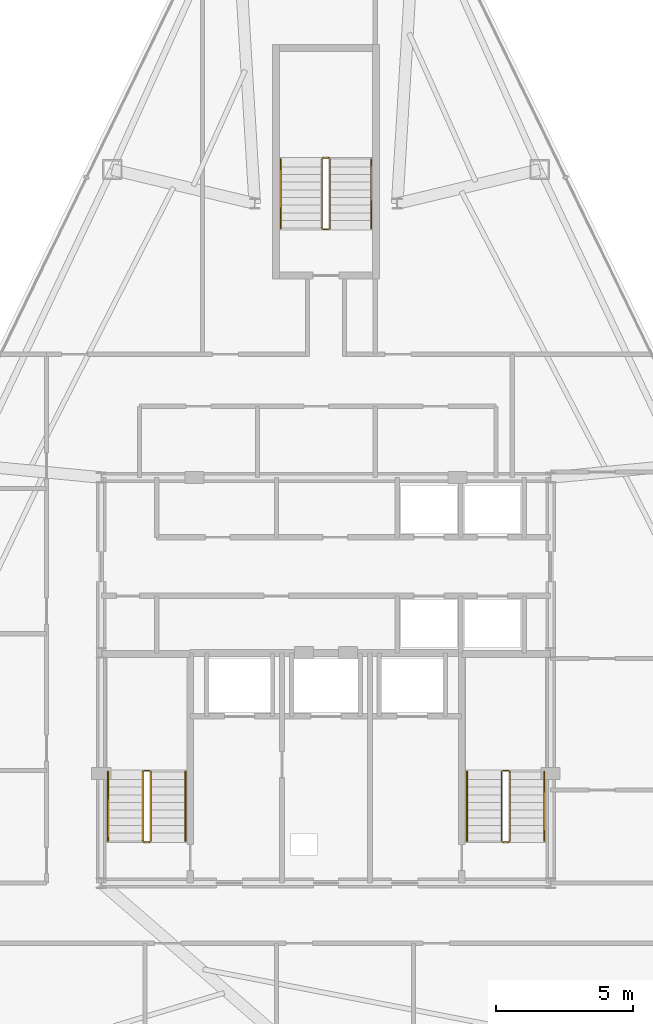
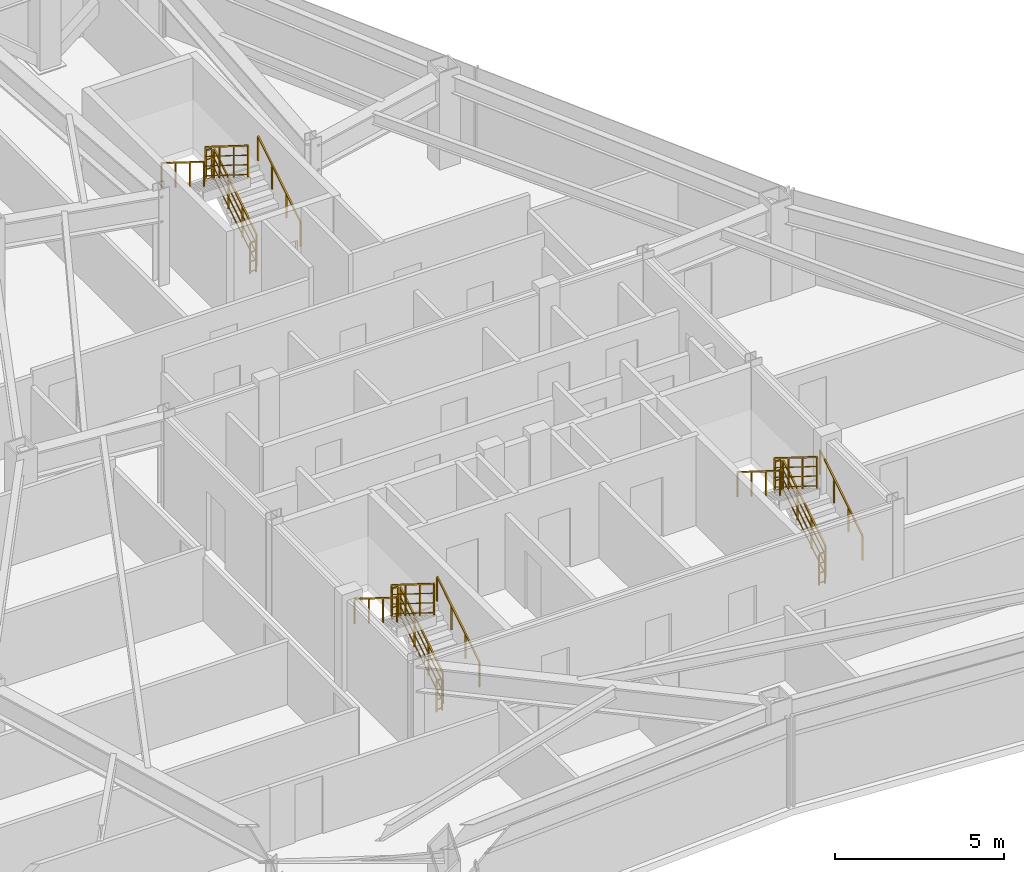
# One storey, part 12 of 12: 18 railings.
"""IFC4 building model written with IfcOpenShell, lengths in metres."""

from ifc_helpers import new_model, si_unit, direction, frame, origin, origin_2d, place, context, subcontext, project, spatial, rectangle, extrude, material, type_object, element, save


model = new_model("IFC4")

# Units and contexts
model_context = context("Model", 3, precision=1e-05, world=origin(), true_north=direction((0.0, 1.0)))
body_context = subcontext(model_context, "Body", "Model", "MODEL_VIEW")
ifc_project = project(units=[si_unit("LENGTHUNIT", "METRE"), si_unit("AREAUNIT", "SQUARE_METRE"), si_unit("VOLUMEUNIT", "CUBIC_METRE"), si_unit("PLANEANGLEUNIT", "RADIAN"), si_unit("MASSUNIT", "GRAM", prefix="KILO")], contexts=[model_context])

# Site, building, storey
site_placement = place(None, origin())
site = spatial("IfcSite", under=ifc_project, at=site_placement, CompositionType="ELEMENT")
building_placement = place(site_placement, origin())
building = spatial("IfcBuilding", under=site, at=building_placement, Name="Varakhsha Concourse Tower", CompositionType="ELEMENT")
storey_placement = place(building_placement, frame((0.0, 0.0, 208.39990234375)))
storey = spatial("IfcBuildingStorey", under=building, at=storey_placement, Name="L59", CompositionType="ELEMENT", Elevation=208.39990234375)

# Railings
ifc_material = material(Name="Brushed Austenitic Stainless Steel AISI 316", Category="steel")
railing_type_1 = type_object("IfcRailingType", Name="RL-STAIR-GUARD-1100", PredefinedType="GUARDRAIL", material=ifc_material)
railing_1_placement = place(storey_placement, frame((33.610107421875, 17.93994140625, 0.175048828125)))
element("IfcRailing", 1, at=railing_1_placement, inside=storey, type_object=railing_type_1, Name="L59 ST1 stair guard 1", PredefinedType="GUARDRAIL", context=body_context, shape_type="SweptSolid", body=[
    extrude(rectangle(XDim=0.048095703125, YDim=0.048095703125, at=origin_2d()), frame((0.0, 0.0, 1.1259765625), z_axis=(0.0, 0.848007534815, 0.529984170421), x_axis=(-1.0, 0.0, 0.0)), (0.0, 0.0, 1.0), 2.9716796875),
    extrude(rectangle(XDim=0.028076171875, YDim=0.028076171875, at=origin_2d()), frame((0.0, 0.0, 0.080078125), z_axis=(0.0, 0.848007534815, 0.529984170421), x_axis=(-1.0, 0.0, 0.0)), (0.0, 0.0, 1.0), 2.9716796875),
    extrude(rectangle(XDim=0.028076171875, YDim=0.028076171875, at=origin_2d()), frame((0.0, 0.0, 0.43701171875), z_axis=(0.0, 0.848007534815, 0.529984170421), x_axis=(-1.0, 0.0, 0.0)), (0.0, 0.0, 1.0), 2.9716796875),
    extrude(rectangle(XDim=0.028076171875, YDim=0.028076171875, at=origin_2d()), frame((0.0, 0.0, 0.781982421875), z_axis=(0.0, 0.848007534815, 0.529984170421), x_axis=(-1.0, 0.0, 0.0)), (0.0, 0.0, 1.0), 2.9716796875),
    extrude(rectangle(XDim=0.0419921875, YDim=0.0419921875, at=origin_2d()), origin(), (0.0, 0.0, 1.0), 1.101806640625),
    extrude(rectangle(XDim=0.0419921875, YDim=0.0419921875, at=origin_2d()), frame((0.0, 0.840087890625, 0.52490234375)), (0.0, 0.0, 1.0), 1.101806640625),
    extrude(rectangle(XDim=0.0419921875, YDim=0.0419921875, at=origin_2d()), frame((0.0, 1.679931640625, 1.050048828125)), (0.0, 0.0, 1.0), 1.101806640625),
    extrude(rectangle(XDim=0.0419921875, YDim=0.0419921875, at=origin_2d()), frame((0.0, 2.52001953125, 1.574951171875)), (0.0, 0.0, 1.0), 1.101806640625),
])
railing_2_placement = place(storey_placement, frame((33.56005859375, 20.510009765625, 1.75)))
element("IfcRailing", 2, at=railing_2_placement, inside=storey, type_object=railing_type_1, Name="L59 ST1 stair guard 2", PredefinedType="GUARDRAIL", context=body_context, shape_type="SweptSolid", body=[
    extrude(rectangle(XDim=0.048095703125, YDim=0.048095703125, at=origin_2d()), frame((0.0, 0.0, 1.1259765625), z_axis=(-1.0, 0.0, 0.0), x_axis=(0.0, -1.0, 0.0)), (0.0, 0.0, 1.0), 0.199951171875),
    extrude(rectangle(XDim=0.028076171875, YDim=0.028076171875, at=origin_2d()), frame((0.0, 0.0, 0.080078125), z_axis=(-1.0, 0.0, 0.0), x_axis=(0.0, -1.0, 0.0)), (0.0, 0.0, 1.0), 0.199951171875),
    extrude(rectangle(XDim=0.028076171875, YDim=0.028076171875, at=origin_2d()), frame((0.0, 0.0, 0.43701171875), z_axis=(-1.0, 0.0, 0.0), x_axis=(0.0, -1.0, 0.0)), (0.0, 0.0, 1.0), 0.199951171875),
    extrude(rectangle(XDim=0.028076171875, YDim=0.028076171875, at=origin_2d()), frame((0.0, 0.0, 0.781982421875), z_axis=(-1.0, 0.0, 0.0), x_axis=(0.0, -1.0, 0.0)), (0.0, 0.0, 1.0), 0.199951171875),
    extrude(rectangle(XDim=0.0419921875, YDim=0.0419921875, at=origin_2d()), origin(), (0.0, 0.0, 1.0), 1.101806640625),
    extrude(rectangle(XDim=0.0419921875, YDim=0.0419921875, at=origin_2d()), frame((-0.199951171875, 0.0, 0.0)), (0.0, 0.0, 1.0), 1.101806640625),
])
railing_3_placement = place(storey_placement, frame((33.31005859375, 20.4599609375, 1.925048828125)))
element("IfcRailing", 3, at=railing_3_placement, inside=storey, type_object=railing_type_1, Name="L59 ST1 stair guard 3", PredefinedType="GUARDRAIL", context=body_context, shape_type="SweptSolid", body=[
    extrude(rectangle(XDim=0.048095703125, YDim=0.048095703125, at=origin_2d()), frame((0.0, 0.0, 1.1259765625), z_axis=(0.0, -0.848007534815, 0.529984170421), x_axis=(1.0, 0.0, 0.0)), (0.0, 0.0, 1.0), 2.9716796875),
    extrude(rectangle(XDim=0.028076171875, YDim=0.028076171875, at=origin_2d()), frame((0.0, 0.0, 0.080078125), z_axis=(0.0, -0.848007534815, 0.529984170421), x_axis=(1.0, 0.0, 0.0)), (0.0, 0.0, 1.0), 2.9716796875),
    extrude(rectangle(XDim=0.028076171875, YDim=0.028076171875, at=origin_2d()), frame((0.0, 0.0, 0.43701171875), z_axis=(0.0, -0.848007534815, 0.529984170421), x_axis=(1.0, 0.0, 0.0)), (0.0, 0.0, 1.0), 2.9716796875),
    extrude(rectangle(XDim=0.028076171875, YDim=0.028076171875, at=origin_2d()), frame((0.0, 0.0, 0.781982421875), z_axis=(0.0, -0.848007534815, 0.529984170421), x_axis=(1.0, 0.0, 0.0)), (0.0, 0.0, 1.0), 2.9716796875),
    extrude(rectangle(XDim=0.0419921875, YDim=0.0419921875, at=origin_2d()), origin(), (0.0, 0.0, 1.0), 1.101806640625),
    extrude(rectangle(XDim=0.0419921875, YDim=0.0419921875, at=origin_2d()), frame((0.0, -0.840087890625, 0.52490234375)), (0.0, 0.0, 1.0), 1.101806640625),
    extrude(rectangle(XDim=0.0419921875, YDim=0.0419921875, at=origin_2d()), frame((0.0, -1.679931640625, 1.050048828125)), (0.0, 0.0, 1.0), 1.101806640625),
    extrude(rectangle(XDim=0.0419921875, YDim=0.0419921875, at=origin_2d()), frame((0.0, -2.52001953125, 1.574951171875)), (0.0, 0.0, 1.0), 1.101806640625),
])
railing_4_placement = place(storey_placement, frame((33.56005859375, 17.889892578125, 0.0)))
element("IfcRailing", 4, at=railing_4_placement, inside=storey, type_object=railing_type_1, Name="L59 ST1 stair guard 4", PredefinedType="GUARDRAIL", context=body_context, shape_type="SweptSolid", body=[
    extrude(rectangle(XDim=0.048095703125, YDim=0.048095703125, at=origin_2d()), frame((0.0, 0.0, 1.1259765625), z_axis=(-1.0, 0.0, 0.0), x_axis=(0.0, -1.0, 0.0)), (0.0, 0.0, 1.0), 0.199951171875),
    extrude(rectangle(XDim=0.028076171875, YDim=0.028076171875, at=origin_2d()), frame((0.0, 0.0, 0.080078125), z_axis=(-1.0, 0.0, 0.0), x_axis=(0.0, -1.0, 0.0)), (0.0, 0.0, 1.0), 0.199951171875),
    extrude(rectangle(XDim=0.028076171875, YDim=0.028076171875, at=origin_2d()), frame((0.0, 0.0, 0.43701171875), z_axis=(-1.0, 0.0, 0.0), x_axis=(0.0, -1.0, 0.0)), (0.0, 0.0, 1.0), 0.199951171875),
    extrude(rectangle(XDim=0.028076171875, YDim=0.028076171875, at=origin_2d()), frame((0.0, 0.0, 0.781982421875), z_axis=(-1.0, 0.0, 0.0), x_axis=(0.0, -1.0, 0.0)), (0.0, 0.0, 1.0), 0.199951171875),
    extrude(rectangle(XDim=0.0419921875, YDim=0.0419921875, at=origin_2d()), origin(), (0.0, 0.0, 1.0), 1.101806640625),
    extrude(rectangle(XDim=0.0419921875, YDim=0.0419921875, at=origin_2d()), frame((-0.199951171875, 0.0, 0.0)), (0.0, 0.0, 1.0), 1.101806640625),
])
railing_5_placement = place(storey_placement, frame((46.7099609375, 17.93994140625, 0.175048828125)))
element("IfcRailing", 5, at=railing_5_placement, inside=storey, type_object=railing_type_1, Name="L59 ST2 stair guard 1", PredefinedType="GUARDRAIL", context=body_context, shape_type="SweptSolid", body=[
    extrude(rectangle(XDim=0.048095703125, YDim=0.048095703125, at=origin_2d()), frame((0.0, 0.0, 1.1259765625), z_axis=(0.0, 0.848007534815, 0.529984170421), x_axis=(-1.0, 0.0, 0.0)), (0.0, 0.0, 1.0), 2.9716796875),
    extrude(rectangle(XDim=0.028076171875, YDim=0.028076171875, at=origin_2d()), frame((0.0, 0.0, 0.080078125), z_axis=(0.0, 0.848007534815, 0.529984170421), x_axis=(-1.0, 0.0, 0.0)), (0.0, 0.0, 1.0), 2.9716796875),
    extrude(rectangle(XDim=0.028076171875, YDim=0.028076171875, at=origin_2d()), frame((0.0, 0.0, 0.43701171875), z_axis=(0.0, 0.848007534815, 0.529984170421), x_axis=(-1.0, 0.0, 0.0)), (0.0, 0.0, 1.0), 2.9716796875),
    extrude(rectangle(XDim=0.028076171875, YDim=0.028076171875, at=origin_2d()), frame((0.0, 0.0, 0.781982421875), z_axis=(0.0, 0.848007534815, 0.529984170421), x_axis=(-1.0, 0.0, 0.0)), (0.0, 0.0, 1.0), 2.9716796875),
    extrude(rectangle(XDim=0.0419921875, YDim=0.0419921875, at=origin_2d()), origin(), (0.0, 0.0, 1.0), 1.101806640625),
    extrude(rectangle(XDim=0.0419921875, YDim=0.0419921875, at=origin_2d()), frame((0.0, 0.840087890625, 0.52490234375)), (0.0, 0.0, 1.0), 1.101806640625),
    extrude(rectangle(XDim=0.0419921875, YDim=0.0419921875, at=origin_2d()), frame((0.0, 1.679931640625, 1.050048828125)), (0.0, 0.0, 1.0), 1.101806640625),
    extrude(rectangle(XDim=0.0419921875, YDim=0.0419921875, at=origin_2d()), frame((0.0, 2.52001953125, 1.574951171875)), (0.0, 0.0, 1.0), 1.101806640625),
])
railing_6_placement = place(storey_placement, frame((46.659912109375, 20.510009765625, 1.75)))
element("IfcRailing", 6, at=railing_6_placement, inside=storey, type_object=railing_type_1, Name="L59 ST2 stair guard 2", PredefinedType="GUARDRAIL", context=body_context, shape_type="SweptSolid", body=[
    extrude(rectangle(XDim=0.048095703125, YDim=0.048095703125, at=origin_2d()), frame((0.0, 0.0, 1.1259765625), z_axis=(-1.0, 0.0, 0.0), x_axis=(0.0, -1.0, 0.0)), (0.0, 0.0, 1.0), 0.199951171875),
    extrude(rectangle(XDim=0.028076171875, YDim=0.028076171875, at=origin_2d()), frame((0.0, 0.0, 0.080078125), z_axis=(-1.0, 0.0, 0.0), x_axis=(0.0, -1.0, 0.0)), (0.0, 0.0, 1.0), 0.199951171875),
    extrude(rectangle(XDim=0.028076171875, YDim=0.028076171875, at=origin_2d()), frame((0.0, 0.0, 0.43701171875), z_axis=(-1.0, 0.0, 0.0), x_axis=(0.0, -1.0, 0.0)), (0.0, 0.0, 1.0), 0.199951171875),
    extrude(rectangle(XDim=0.028076171875, YDim=0.028076171875, at=origin_2d()), frame((0.0, 0.0, 0.781982421875), z_axis=(-1.0, 0.0, 0.0), x_axis=(0.0, -1.0, 0.0)), (0.0, 0.0, 1.0), 0.199951171875),
    extrude(rectangle(XDim=0.0419921875, YDim=0.0419921875, at=origin_2d()), origin(), (0.0, 0.0, 1.0), 1.101806640625),
    extrude(rectangle(XDim=0.0419921875, YDim=0.0419921875, at=origin_2d()), frame((-0.199951171875, 0.0, 0.0)), (0.0, 0.0, 1.0), 1.101806640625),
])
railing_7_placement = place(storey_placement, frame((46.409912109375, 20.4599609375, 1.925048828125)))
element("IfcRailing", 7, at=railing_7_placement, inside=storey, type_object=railing_type_1, Name="L59 ST2 stair guard 3", PredefinedType="GUARDRAIL", context=body_context, shape_type="SweptSolid", body=[
    extrude(rectangle(XDim=0.048095703125, YDim=0.048095703125, at=origin_2d()), frame((0.0, 0.0, 1.1259765625), z_axis=(0.0, -0.848007534815, 0.529984170421), x_axis=(1.0, 0.0, 0.0)), (0.0, 0.0, 1.0), 2.9716796875),
    extrude(rectangle(XDim=0.028076171875, YDim=0.028076171875, at=origin_2d()), frame((0.0, 0.0, 0.080078125), z_axis=(0.0, -0.848007534815, 0.529984170421), x_axis=(1.0, 0.0, 0.0)), (0.0, 0.0, 1.0), 2.9716796875),
    extrude(rectangle(XDim=0.028076171875, YDim=0.028076171875, at=origin_2d()), frame((0.0, 0.0, 0.43701171875), z_axis=(0.0, -0.848007534815, 0.529984170421), x_axis=(1.0, 0.0, 0.0)), (0.0, 0.0, 1.0), 2.9716796875),
    extrude(rectangle(XDim=0.028076171875, YDim=0.028076171875, at=origin_2d()), frame((0.0, 0.0, 0.781982421875), z_axis=(0.0, -0.848007534815, 0.529984170421), x_axis=(1.0, 0.0, 0.0)), (0.0, 0.0, 1.0), 2.9716796875),
    extrude(rectangle(XDim=0.0419921875, YDim=0.0419921875, at=origin_2d()), origin(), (0.0, 0.0, 1.0), 1.101806640625),
    extrude(rectangle(XDim=0.0419921875, YDim=0.0419921875, at=origin_2d()), frame((0.0, -0.840087890625, 0.52490234375)), (0.0, 0.0, 1.0), 1.101806640625),
    extrude(rectangle(XDim=0.0419921875, YDim=0.0419921875, at=origin_2d()), frame((0.0, -1.679931640625, 1.050048828125)), (0.0, 0.0, 1.0), 1.101806640625),
    extrude(rectangle(XDim=0.0419921875, YDim=0.0419921875, at=origin_2d()), frame((0.0, -2.52001953125, 1.574951171875)), (0.0, 0.0, 1.0), 1.101806640625),
])
railing_8_placement = place(storey_placement, frame((46.659912109375, 17.889892578125, 0.0)))
element("IfcRailing", 8, at=railing_8_placement, inside=storey, type_object=railing_type_1, Name="L59 ST2 stair guard 4", PredefinedType="GUARDRAIL", context=body_context, shape_type="SweptSolid", body=[
    extrude(rectangle(XDim=0.048095703125, YDim=0.048095703125, at=origin_2d()), frame((0.0, 0.0, 1.1259765625), z_axis=(-1.0, 0.0, 0.0), x_axis=(0.0, -1.0, 0.0)), (0.0, 0.0, 1.0), 0.199951171875),
    extrude(rectangle(XDim=0.028076171875, YDim=0.028076171875, at=origin_2d()), frame((0.0, 0.0, 0.080078125), z_axis=(-1.0, 0.0, 0.0), x_axis=(0.0, -1.0, 0.0)), (0.0, 0.0, 1.0), 0.199951171875),
    extrude(rectangle(XDim=0.028076171875, YDim=0.028076171875, at=origin_2d()), frame((0.0, 0.0, 0.43701171875), z_axis=(-1.0, 0.0, 0.0), x_axis=(0.0, -1.0, 0.0)), (0.0, 0.0, 1.0), 0.199951171875),
    extrude(rectangle(XDim=0.028076171875, YDim=0.028076171875, at=origin_2d()), frame((0.0, 0.0, 0.781982421875), z_axis=(-1.0, 0.0, 0.0), x_axis=(0.0, -1.0, 0.0)), (0.0, 0.0, 1.0), 0.199951171875),
    extrude(rectangle(XDim=0.0419921875, YDim=0.0419921875, at=origin_2d()), origin(), (0.0, 0.0, 1.0), 1.101806640625),
    extrude(rectangle(XDim=0.0419921875, YDim=0.0419921875, at=origin_2d()), frame((-0.199951171875, 0.0, 0.0)), (0.0, 0.0, 1.0), 1.101806640625),
])
railing_9_placement = place(storey_placement, frame((40.14990234375, 40.300048828125, 0.175048828125)))
element("IfcRailing", 9, at=railing_9_placement, inside=storey, type_object=railing_type_1, Name="L59 ST5 stair guard 1", PredefinedType="GUARDRAIL", context=body_context, shape_type="SweptSolid", body=[
    extrude(rectangle(XDim=0.048095703125, YDim=0.048095703125, at=origin_2d()), frame((0.0, 0.0, 1.1259765625), z_axis=(0.0, 0.848007534815, 0.529984170421), x_axis=(-1.0, 0.0, 0.0)), (0.0, 0.0, 1.0), 2.9716796875),
    extrude(rectangle(XDim=0.028076171875, YDim=0.028076171875, at=origin_2d()), frame((0.0, 0.0, 0.080078125), z_axis=(0.0, 0.848007534815, 0.529984170421), x_axis=(-1.0, 0.0, 0.0)), (0.0, 0.0, 1.0), 2.9716796875),
    extrude(rectangle(XDim=0.028076171875, YDim=0.028076171875, at=origin_2d()), frame((0.0, 0.0, 0.43701171875), z_axis=(0.0, 0.848007534815, 0.529984170421), x_axis=(-1.0, 0.0, 0.0)), (0.0, 0.0, 1.0), 2.9716796875),
    extrude(rectangle(XDim=0.028076171875, YDim=0.028076171875, at=origin_2d()), frame((0.0, 0.0, 0.781982421875), z_axis=(0.0, 0.848007534815, 0.529984170421), x_axis=(-1.0, 0.0, 0.0)), (0.0, 0.0, 1.0), 2.9716796875),
    extrude(rectangle(XDim=0.0419921875, YDim=0.0419921875, at=origin_2d()), origin(), (0.0, 0.0, 1.0), 1.101806640625),
    extrude(rectangle(XDim=0.0419921875, YDim=0.0419921875, at=origin_2d()), frame((0.0, 0.840087890625, 0.52490234375)), (0.0, 0.0, 1.0), 1.101806640625),
    extrude(rectangle(XDim=0.0419921875, YDim=0.0419921875, at=origin_2d()), frame((0.0, 1.679931640625, 1.050048828125)), (0.0, 0.0, 1.0), 1.101806640625),
    extrude(rectangle(XDim=0.0419921875, YDim=0.0419921875, at=origin_2d()), frame((0.0, 2.52001953125, 1.574951171875)), (0.0, 0.0, 1.0), 1.101806640625),
])
railing_10_placement = place(storey_placement, frame((40.10009765625, 42.8701171875, 1.75)))
element("IfcRailing", 10, at=railing_10_placement, inside=storey, type_object=railing_type_1, Name="L59 ST5 stair guard 2", PredefinedType="GUARDRAIL", context=body_context, shape_type="SweptSolid", body=[
    extrude(rectangle(XDim=0.048095703125, YDim=0.048095703125, at=origin_2d()), frame((0.0, 0.0, 1.1259765625), z_axis=(-1.0, 0.0, 0.0), x_axis=(0.0, -1.0, 0.0)), (0.0, 0.0, 1.0), 0.2001953125),
    extrude(rectangle(XDim=0.028076171875, YDim=0.028076171875, at=origin_2d()), frame((0.0, 0.0, 0.080078125), z_axis=(-1.0, 0.0, 0.0), x_axis=(0.0, -1.0, 0.0)), (0.0, 0.0, 1.0), 0.2001953125),
    extrude(rectangle(XDim=0.028076171875, YDim=0.028076171875, at=origin_2d()), frame((0.0, 0.0, 0.43701171875), z_axis=(-1.0, 0.0, 0.0), x_axis=(0.0, -1.0, 0.0)), (0.0, 0.0, 1.0), 0.2001953125),
    extrude(rectangle(XDim=0.028076171875, YDim=0.028076171875, at=origin_2d()), frame((0.0, 0.0, 0.781982421875), z_axis=(-1.0, 0.0, 0.0), x_axis=(0.0, -1.0, 0.0)), (0.0, 0.0, 1.0), 0.2001953125),
    extrude(rectangle(XDim=0.0419921875, YDim=0.0419921875, at=origin_2d()), origin(), (0.0, 0.0, 1.0), 1.101806640625),
    extrude(rectangle(XDim=0.0419921875, YDim=0.0419921875, at=origin_2d()), frame((-0.2001953125, 0.0, 0.0)), (0.0, 0.0, 1.0), 1.101806640625),
])
railing_11_placement = place(storey_placement, frame((39.85009765625, 42.820068359375, 1.925048828125)))
element("IfcRailing", 11, at=railing_11_placement, inside=storey, type_object=railing_type_1, Name="L59 ST5 stair guard 3", PredefinedType="GUARDRAIL", context=body_context, shape_type="SweptSolid", body=[
    extrude(rectangle(XDim=0.048095703125, YDim=0.048095703125, at=origin_2d()), frame((0.0, 0.0, 1.1259765625), z_axis=(0.0, -0.848007534815, 0.529984170421), x_axis=(1.0, 0.0, 0.0)), (0.0, 0.0, 1.0), 2.9716796875),
    extrude(rectangle(XDim=0.028076171875, YDim=0.028076171875, at=origin_2d()), frame((0.0, 0.0, 0.080078125), z_axis=(0.0, -0.848007534815, 0.529984170421), x_axis=(1.0, 0.0, 0.0)), (0.0, 0.0, 1.0), 2.9716796875),
    extrude(rectangle(XDim=0.028076171875, YDim=0.028076171875, at=origin_2d()), frame((0.0, 0.0, 0.43701171875), z_axis=(0.0, -0.848007534815, 0.529984170421), x_axis=(1.0, 0.0, 0.0)), (0.0, 0.0, 1.0), 2.9716796875),
    extrude(rectangle(XDim=0.028076171875, YDim=0.028076171875, at=origin_2d()), frame((0.0, 0.0, 0.781982421875), z_axis=(0.0, -0.848007534815, 0.529984170421), x_axis=(1.0, 0.0, 0.0)), (0.0, 0.0, 1.0), 2.9716796875),
    extrude(rectangle(XDim=0.0419921875, YDim=0.0419921875, at=origin_2d()), origin(), (0.0, 0.0, 1.0), 1.101806640625),
    extrude(rectangle(XDim=0.0419921875, YDim=0.0419921875, at=origin_2d()), frame((0.0, -0.840087890625, 0.52490234375)), (0.0, 0.0, 1.0), 1.101806640625),
    extrude(rectangle(XDim=0.0419921875, YDim=0.0419921875, at=origin_2d()), frame((0.0, -1.679931640625, 1.050048828125)), (0.0, 0.0, 1.0), 1.101806640625),
    extrude(rectangle(XDim=0.0419921875, YDim=0.0419921875, at=origin_2d()), frame((0.0, -2.52001953125, 1.574951171875)), (0.0, 0.0, 1.0), 1.101806640625),
])
railing_12_placement = place(storey_placement, frame((40.10009765625, 40.25, 0.0)))
element("IfcRailing", 12, at=railing_12_placement, inside=storey, type_object=railing_type_1, Name="L59 ST5 stair guard 4", PredefinedType="GUARDRAIL", context=body_context, shape_type="SweptSolid", body=[
    extrude(rectangle(XDim=0.048095703125, YDim=0.048095703125, at=origin_2d()), frame((0.0, 0.0, 1.1259765625), z_axis=(-1.0, 0.0, 0.0), x_axis=(0.0, -1.0, 0.0)), (0.0, 0.0, 1.0), 0.2001953125),
    extrude(rectangle(XDim=0.028076171875, YDim=0.028076171875, at=origin_2d()), frame((0.0, 0.0, 0.080078125), z_axis=(-1.0, 0.0, 0.0), x_axis=(0.0, -1.0, 0.0)), (0.0, 0.0, 1.0), 0.2001953125),
    extrude(rectangle(XDim=0.028076171875, YDim=0.028076171875, at=origin_2d()), frame((0.0, 0.0, 0.43701171875), z_axis=(-1.0, 0.0, 0.0), x_axis=(0.0, -1.0, 0.0)), (0.0, 0.0, 1.0), 0.2001953125),
    extrude(rectangle(XDim=0.028076171875, YDim=0.028076171875, at=origin_2d()), frame((0.0, 0.0, 0.781982421875), z_axis=(-1.0, 0.0, 0.0), x_axis=(0.0, -1.0, 0.0)), (0.0, 0.0, 1.0), 0.2001953125),
    extrude(rectangle(XDim=0.0419921875, YDim=0.0419921875, at=origin_2d()), origin(), (0.0, 0.0, 1.0), 1.101806640625),
    extrude(rectangle(XDim=0.0419921875, YDim=0.0419921875, at=origin_2d()), frame((-0.2001953125, 0.0, 0.0)), (0.0, 0.0, 1.0), 1.101806640625),
])
railing_type_2 = type_object("IfcRailingType", Name="RL-STAIR-RAIL-915", PredefinedType="HANDRAIL", material=ifc_material)
railing_13_placement = place(storey_placement, frame((34.8701171875, 17.93994140625, 0.35009765625)))
element("IfcRailing", 13, at=railing_13_placement, inside=storey, type_object=railing_type_2, Name="L59 ST1 stair handrail 1", PredefinedType="HANDRAIL", context=body_context, shape_type="SweptSolid", body=[
    extrude(rectangle(XDim=0.048095703125, YDim=0.048095703125, at=origin_2d()), frame((0.0, 0.0, 0.89111328125), z_axis=(0.0, 0.848007534815, 0.529984170421), x_axis=(-1.0, 0.0, 0.0)), (0.0, 0.0, 1.0), 2.9716796875),
    extrude(rectangle(XDim=0.0419921875, YDim=0.0419921875, at=origin_2d()), origin(), (0.0, 0.0, 1.0), 0.866943359375),
    extrude(rectangle(XDim=0.0419921875, YDim=0.0419921875, at=origin_2d()), frame((0.0, 0.840087890625, 0.52490234375)), (0.0, 0.0, 1.0), 0.866943359375),
    extrude(rectangle(XDim=0.0419921875, YDim=0.0419921875, at=origin_2d()), frame((0.0, 1.679931640625, 1.050048828125)), (0.0, 0.0, 1.0), 0.866943359375),
    extrude(rectangle(XDim=0.0419921875, YDim=0.0419921875, at=origin_2d()), frame((0.0, 2.52001953125, 1.574951171875)), (0.0, 0.0, 1.0), 0.866943359375),
])
railing_14_placement = place(storey_placement, frame((32.050048828125, 20.4599609375, 2.10009765625)))
element("IfcRailing", 14, at=railing_14_placement, inside=storey, type_object=railing_type_2, Name="L59 ST1 stair handrail 2", PredefinedType="HANDRAIL", context=body_context, shape_type="SweptSolid", body=[
    extrude(rectangle(XDim=0.048095703125, YDim=0.048095703125, at=origin_2d()), frame((0.0, 0.0, 0.89111328125), z_axis=(0.0, -0.848007534815, 0.529984170421), x_axis=(1.0, 0.0, 0.0)), (0.0, 0.0, 1.0), 2.9716796875),
    extrude(rectangle(XDim=0.0419921875, YDim=0.0419921875, at=origin_2d()), origin(), (0.0, 0.0, 1.0), 0.866943359375),
    extrude(rectangle(XDim=0.0419921875, YDim=0.0419921875, at=origin_2d()), frame((0.0, -0.840087890625, 0.52490234375)), (0.0, 0.0, 1.0), 0.866943359375),
    extrude(rectangle(XDim=0.0419921875, YDim=0.0419921875, at=origin_2d()), frame((0.0, -1.679931640625, 1.050048828125)), (0.0, 0.0, 1.0), 0.866943359375),
    extrude(rectangle(XDim=0.0419921875, YDim=0.0419921875, at=origin_2d()), frame((0.0, -2.52001953125, 1.574951171875)), (0.0, 0.0, 1.0), 0.866943359375),
])
railing_15_placement = place(storey_placement, frame((47.969970703125, 17.93994140625, 0.35009765625)))
element("IfcRailing", 15, at=railing_15_placement, inside=storey, type_object=railing_type_2, Name="L59 ST2 stair handrail 1", PredefinedType="HANDRAIL", context=body_context, shape_type="SweptSolid", body=[
    extrude(rectangle(XDim=0.048095703125, YDim=0.048095703125, at=origin_2d()), frame((0.0, 0.0, 0.89111328125), z_axis=(0.0, 0.848007534815, 0.529984170421), x_axis=(-1.0, 0.0, 0.0)), (0.0, 0.0, 1.0), 2.9716796875),
    extrude(rectangle(XDim=0.0419921875, YDim=0.0419921875, at=origin_2d()), origin(), (0.0, 0.0, 1.0), 0.866943359375),
    extrude(rectangle(XDim=0.0419921875, YDim=0.0419921875, at=origin_2d()), frame((0.0, 0.840087890625, 0.52490234375)), (0.0, 0.0, 1.0), 0.866943359375),
    extrude(rectangle(XDim=0.0419921875, YDim=0.0419921875, at=origin_2d()), frame((0.0, 1.679931640625, 1.050048828125)), (0.0, 0.0, 1.0), 0.866943359375),
    extrude(rectangle(XDim=0.0419921875, YDim=0.0419921875, at=origin_2d()), frame((0.0, 2.52001953125, 1.574951171875)), (0.0, 0.0, 1.0), 0.866943359375),
])
railing_16_placement = place(storey_placement, frame((45.14990234375, 20.4599609375, 2.10009765625)))
element("IfcRailing", 16, at=railing_16_placement, inside=storey, type_object=railing_type_2, Name="L59 ST2 stair handrail 2", PredefinedType="HANDRAIL", context=body_context, shape_type="SweptSolid", body=[
    extrude(rectangle(XDim=0.048095703125, YDim=0.048095703125, at=origin_2d()), frame((0.0, 0.0, 0.89111328125), z_axis=(0.0, -0.848007534815, 0.529984170421), x_axis=(1.0, 0.0, 0.0)), (0.0, 0.0, 1.0), 2.9716796875),
    extrude(rectangle(XDim=0.0419921875, YDim=0.0419921875, at=origin_2d()), origin(), (0.0, 0.0, 1.0), 0.866943359375),
    extrude(rectangle(XDim=0.0419921875, YDim=0.0419921875, at=origin_2d()), frame((0.0, -0.840087890625, 0.52490234375)), (0.0, 0.0, 1.0), 0.866943359375),
    extrude(rectangle(XDim=0.0419921875, YDim=0.0419921875, at=origin_2d()), frame((0.0, -1.679931640625, 1.050048828125)), (0.0, 0.0, 1.0), 0.866943359375),
    extrude(rectangle(XDim=0.0419921875, YDim=0.0419921875, at=origin_2d()), frame((0.0, -2.52001953125, 1.574951171875)), (0.0, 0.0, 1.0), 0.866943359375),
])
railing_17_placement = place(storey_placement, frame((41.64990234375, 40.300048828125, 0.35009765625)))
element("IfcRailing", 17, at=railing_17_placement, inside=storey, type_object=railing_type_2, Name="L59 ST5 stair handrail 1", PredefinedType="HANDRAIL", context=body_context, shape_type="SweptSolid", body=[
    extrude(rectangle(XDim=0.048095703125, YDim=0.048095703125, at=origin_2d()), frame((0.0, 0.0, 0.89111328125), z_axis=(0.0, 0.848007534815, 0.529984170421), x_axis=(-1.0, 0.0, 0.0)), (0.0, 0.0, 1.0), 2.9716796875),
    extrude(rectangle(XDim=0.0419921875, YDim=0.0419921875, at=origin_2d()), origin(), (0.0, 0.0, 1.0), 0.866943359375),
    extrude(rectangle(XDim=0.0419921875, YDim=0.0419921875, at=origin_2d()), frame((0.0, 0.840087890625, 0.52490234375)), (0.0, 0.0, 1.0), 0.866943359375),
    extrude(rectangle(XDim=0.0419921875, YDim=0.0419921875, at=origin_2d()), frame((0.0, 1.679931640625, 1.050048828125)), (0.0, 0.0, 1.0), 0.866943359375),
    extrude(rectangle(XDim=0.0419921875, YDim=0.0419921875, at=origin_2d()), frame((0.0, 2.52001953125, 1.574951171875)), (0.0, 0.0, 1.0), 0.866943359375),
])
railing_18_placement = place(storey_placement, frame((38.35009765625, 42.820068359375, 2.10009765625)))
element("IfcRailing", 18, at=railing_18_placement, inside=storey, type_object=railing_type_2, Name="L59 ST5 stair handrail 2", PredefinedType="HANDRAIL", context=body_context, shape_type="SweptSolid", body=[
    extrude(rectangle(XDim=0.048095703125, YDim=0.048095703125, at=origin_2d()), frame((0.0, 0.0, 0.89111328125), z_axis=(0.0, -0.848007534815, 0.529984170421), x_axis=(1.0, 0.0, 0.0)), (0.0, 0.0, 1.0), 2.9716796875),
    extrude(rectangle(XDim=0.0419921875, YDim=0.0419921875, at=origin_2d()), origin(), (0.0, 0.0, 1.0), 0.866943359375),
    extrude(rectangle(XDim=0.0419921875, YDim=0.0419921875, at=origin_2d()), frame((0.0, -0.840087890625, 0.52490234375)), (0.0, 0.0, 1.0), 0.866943359375),
    extrude(rectangle(XDim=0.0419921875, YDim=0.0419921875, at=origin_2d()), frame((0.0, -1.679931640625, 1.050048828125)), (0.0, 0.0, 1.0), 0.866943359375),
    extrude(rectangle(XDim=0.0419921875, YDim=0.0419921875, at=origin_2d()), frame((0.0, -2.52001953125, 1.574951171875)), (0.0, 0.0, 1.0), 0.866943359375),
])

save(model, "model.ifc")
